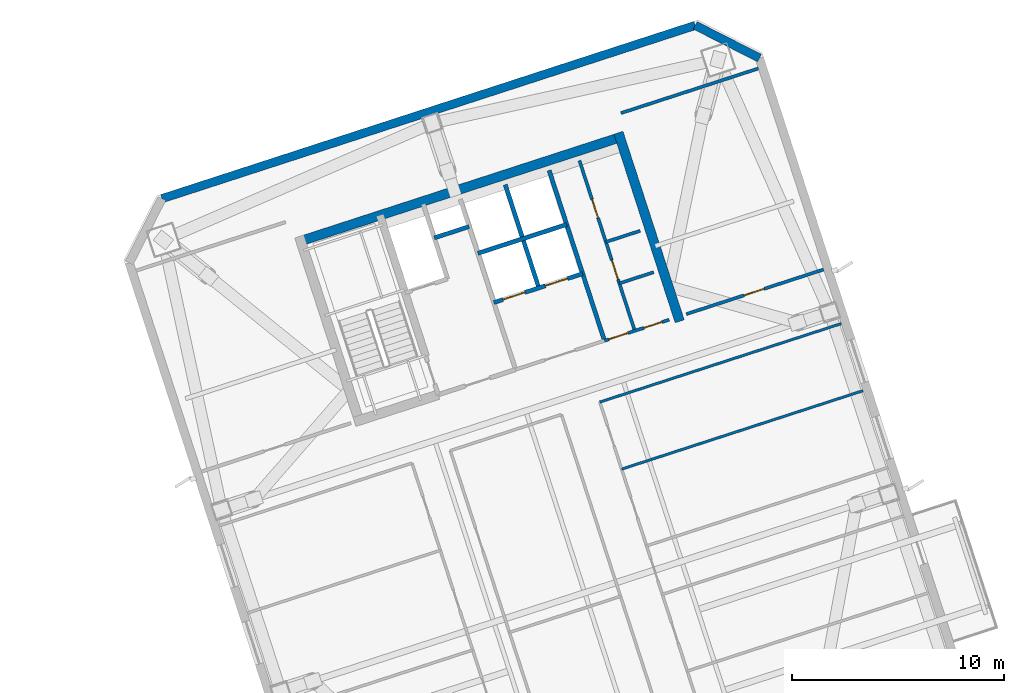
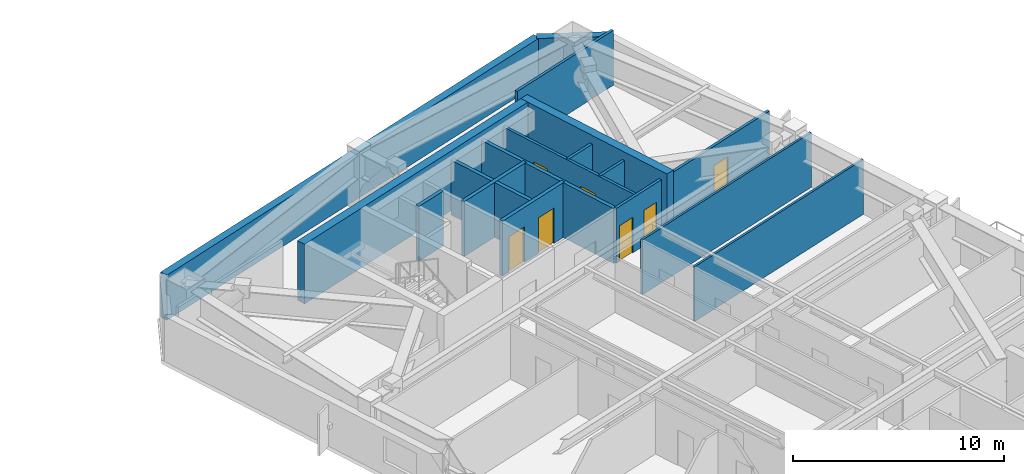
# One storey, part 11 of 18: 17 walls, 7 doors, 7 openings.
"""IFC4 building model written with IfcOpenShell, lengths in metres."""

import ifcopenshell
import ifcopenshell.guid

model = None  # the IFC model being written
_history = None  # IfcOwnerHistory: only IFC2X3 demands one
_inside = {}  # id of a spatial element -> (the spatial element, [elements in it])
_under = {}  # id of a project, library or spatial element -> (it, [spatial elements below it])
_declared = {}  # id of a project -> (the project, [libraries it declares])
_typed = {}  # id of a type object -> (the type object, [elements of that type])
_made_of = {}  # id of a material, layer set ... -> (it, [elements and type objects made of it])


def new_model(schema):
    """Start an empty IFC model of exactly this schema.

    Asked for "IFC4X3", IfcOpenShell would pick the latest addendum, in which some entities
    have other attributes; the version numbers below select the first issue.
    IFC2X3 requires an IfcOwnerHistory on every rooted entity: one is made here for all.
    """
    global model, _history
    if schema == "IFC4X3":
        model = ifcopenshell.file(schema_version=(4, 3, 0, 0))
    else:
        model = ifcopenshell.file(schema=schema)
    _inside.clear()
    _under.clear()
    _declared.clear()
    _typed.clear()
    _made_of.clear()
    _history = None
    if model.schema == "IFC2X3":
        org = make("IfcOrganization", Name="unknown")
        user = make(
            "IfcPersonAndOrganization",
            ThePerson=make("IfcPerson", FamilyName="unknown"),
            TheOrganization=org,
        )
        app = make(
            "IfcApplication",
            ApplicationDeveloper=org,
            Version="unknown",
            ApplicationFullName="unknown",
            ApplicationIdentifier="unknown",
        )
        _history = make(
            "IfcOwnerHistory",
            OwningUser=user,
            OwningApplication=app,
            ChangeAction="ADDED",
            CreationDate=0,
        )
    return model


def make(cls, **values):
    """One entity of the class cls with the attributes given. An attribute that is None is left unset."""
    return model.create_entity(
        cls, **{name: value for name, value in values.items() if value is not None}
    )


def rooted(cls, **values):
    """An entity with a GlobalId (a new one), such as an element, a storey or a relation."""
    return make(cls, GlobalId=ifcopenshell.guid.new(), OwnerHistory=_history, **values)


def si_unit(unit_type, name, prefix=None):
    """IfcSIUnit, for example si_unit("LENGTHUNIT", "METRE", prefix="MILLI")."""
    return make("IfcSIUnit", UnitType=unit_type, Prefix=prefix, Name=name)


def assignment(units):
    """IfcUnitAssignment: the units of a project."""
    return None if units is None else make("IfcUnitAssignment", Units=units)


def point(xyz):
    """IfcCartesianPoint."""
    return None if xyz is None else make("IfcCartesianPoint", Coordinates=xyz)


def direction(xyz):
    """IfcDirection."""
    return None if xyz is None else make("IfcDirection", DirectionRatios=xyz)


def frame(location, z_axis=None, x_axis=None):
    """IfcAxis2Placement3D, a coordinate frame: its origin and axes. An axis left out is left unset."""
    return make(
        "IfcAxis2Placement3D",
        Location=point(location),
        Axis=direction(z_axis),
        RefDirection=direction(x_axis),
    )


def frame_2d(location, x_axis=None):
    """IfcAxis2Placement2D, a coordinate frame in the plane: its origin and x axis."""
    return make(
        "IfcAxis2Placement2D", Location=point(location), RefDirection=direction(x_axis)
    )


def origin():
    """The frame at (0, 0, 0) with its axes left unset."""
    return frame((0.0, 0.0, 0.0))


def place(relative_to, where):
    """IfcLocalPlacement: puts the frame where relative to a parent placement (None: the world)."""
    return make(
        "IfcLocalPlacement", PlacementRelTo=relative_to, RelativePlacement=where
    )


def context(
    kind, dimensions, precision=None, world=None, true_north=None, identifier=None
):
    """IfcGeometricRepresentationContext, for example the 3D "Model" context."""
    return make(
        "IfcGeometricRepresentationContext",
        ContextIdentifier=identifier,
        ContextType=kind,
        CoordinateSpaceDimension=dimensions,
        Precision=precision,
        WorldCoordinateSystem=world,
        TrueNorth=true_north,
    )


def subcontext(parent, identifier, kind, view, scale=None):
    """IfcGeometricRepresentationSubContext, for example "Body" below "Model"."""
    return make(
        "IfcGeometricRepresentationSubContext",
        ContextIdentifier=identifier,
        ContextType=kind,
        ParentContext=parent,
        TargetScale=scale,
        TargetView=view,
    )


def project(units=None, contexts=None):
    """IfcProject with its units and contexts."""
    return rooted(
        "IfcProject",
        Name="project",
        RepresentationContexts=contexts,
        UnitsInContext=assignment(units),
    )


def spatial(cls, under=None, at=None, **own):
    """A site, building, storey or space (cls), placed at a placement, below another one or the project."""
    s = rooted(cls, ObjectPlacement=at, **own)
    if under is not None:
        _under.setdefault(under.id(), (under, []))[1].append(s)
    return s


def profile(cls, at=None, kind="AREA", **sizes):
    """A parametric profile (cls). Its sizes go by their IFC names, for example OverallWidth=200.0."""
    return make(cls, ProfileType=kind, Position=at, **sizes)


def rectangle(**sizes):
    """IfcRectangleProfileDef."""
    return profile("IfcRectangleProfileDef", **sizes)


def extrude(swept, where, along, depth):
    """IfcExtrudedAreaSolid: the profile swept, set in the frame where, extruded along a direction by depth."""
    return make(
        "IfcExtrudedAreaSolid",
        SweptArea=swept,
        Position=where,
        ExtrudedDirection=direction(along),
        Depth=depth,
    )


def shape(context_of_items, identifier, shape_type, items):
    """IfcShapeRepresentation: the items that make up one representation, for example the "Body"."""
    return make(
        "IfcShapeRepresentation",
        ContextOfItems=context_of_items,
        RepresentationIdentifier=identifier,
        RepresentationType=shape_type,
        Items=items,
    )


def material(Name=None, Category=None):
    """IfcMaterial."""
    return make("IfcMaterial", Name=Name, Category=Category)


def layer(
    of_material, thickness, ventilated=None, Name=None, Category=None, Priority=None
):
    """IfcMaterialLayer: one layer of a wall or slab, of a material (None: an air gap)."""
    return make(
        "IfcMaterialLayer",
        Material=of_material,
        LayerThickness=thickness,
        IsVentilated=ventilated,
        Name=Name,
        Category=Category,
        Priority=Priority,
    )


def layer_set(layers, Name=None):
    """IfcMaterialLayerSet."""
    return make("IfcMaterialLayerSet", MaterialLayers=layers, LayerSetName=Name)


def made_of(thing, what):
    """Note that an element or type object is made of a material, layer set ...; save() writes the relation."""
    if what is not None:
        _made_of.setdefault(what.id(), (what, []))[1].append(thing)
    return thing


def type_object(cls, material=None, **own):
    """A type object (cls), such as IfcWallType, which elements share."""
    return made_of(rooted(cls, **own), material)


def element(
    cls,
    number,
    at=None,
    inside=None,
    cuts=None,
    type_object=None,
    material=None,
    context=None,
    identifier="Body",
    shape_type=None,
    held_by="IfcProductDefinitionShape",
    body=None,
    shapes=None,
    **own,
):
    """One element of the class cls, such as IfcWall. Its Tag is "e" and its number.

    at: its placement. inside: the storey or other place that contains it. cuts: it is an
    opening in that element (IfcRelVoidsElement). A single representation is given by context,
    identifier, shape_type and body (its items); several are given by shapes. held_by: the class
    of the entity that holds the representations. save() writes the other relations.
    """
    e = rooted(cls, Tag="e%d" % number, ObjectPlacement=at, **own)
    if body is not None:
        shapes = [shape(context, identifier, shape_type, body)]
    if shapes is not None:
        e.Representation = make(held_by, Representations=shapes)
    if inside is not None:
        _inside.setdefault(inside.id(), (inside, []))[1].append(e)
    if cuts is not None:
        rooted(
            "IfcRelVoidsElement", RelatingBuildingElement=cuts, RelatedOpeningElement=e
        )
    if type_object is not None:
        _typed.setdefault(type_object.id(), (type_object, []))[1].append(e)
    return made_of(e, material)


def fill(opening, filler):
    """IfcRelFillsElement: the door or window that sits in an opening."""
    return rooted(
        "IfcRelFillsElement",
        RelatingOpeningElement=opening,
        RelatedBuildingElement=filler,
    )


def aggregate(whole, parts):
    """IfcRelAggregates: a whole, such as a stair, and the parts it consists of."""
    return rooted("IfcRelAggregates", RelatingObject=whole, RelatedObjects=parts)


def save(model, path):
    """Write the relations noted so far, then the file.

    IfcRelAggregates (storeys below a building ...), IfcRelContainedInSpatialStructure (elements
    in a storey), IfcRelDefinesByType, IfcRelAssociatesMaterial and IfcRelDeclares: one each for
    every whole, place, type object, material and project.
    """
    for whole, parts in _under.values():
        aggregate(whole, parts)
    for where, things in _inside.values():
        rooted(
            "IfcRelContainedInSpatialStructure",
            RelatedElements=things,
            RelatingStructure=where,
        )
    for kind, things in _typed.values():
        rooted("IfcRelDefinesByType", RelatedObjects=things, RelatingType=kind)
    for what, things in _made_of.values():
        rooted("IfcRelAssociatesMaterial", RelatedObjects=things, RelatingMaterial=what)
    for by, libraries in _declared.values():
        rooted("IfcRelDeclares", RelatingContext=by, RelatedDefinitions=libraries)
    model.write(path)


model = new_model("IFC4")

# Units and contexts
model_context = context("Model", 3, precision=1e-05, world=origin(), true_north=direction((0.0, 1.0)))
body_context = subcontext(model_context, "Body", "Model", "MODEL_VIEW")
ifc_project = project(units=[si_unit("LENGTHUNIT", "METRE"), si_unit("AREAUNIT", "SQUARE_METRE"), si_unit("VOLUMEUNIT", "CUBIC_METRE"), si_unit("PLANEANGLEUNIT", "RADIAN"), si_unit("MASSUNIT", "GRAM", prefix="KILO")], contexts=[model_context])

# Site, building, storey
site_placement = place(None, origin())
site = spatial("IfcSite", under=ifc_project, at=site_placement, CompositionType="ELEMENT")
building_placement = place(site_placement, origin())
building = spatial("IfcBuilding", under=site, at=building_placement, Name="Qiaolan Cultural Towers", CompositionType="ELEMENT")
storey_placement = place(building_placement, frame((0.0, 0.0, 195.5)))
storey = spatial("IfcBuildingStorey", under=building, at=storey_placement, Name="L52", CompositionType="ELEMENT", Elevation=195.5)

# Walls
ifc_material_1 = material(Name="Concrete C50", Category="concrete")
ifc_layer_1 = layer(ifc_material_1, 0.449951171875)
ifc_layer_set_1 = layer_set([ifc_layer_1], Name="Concrete C50")
wall_type_1 = type_object("IfcWallType", Name="WL-CORE-450", PredefinedType="SHEAR", material=ifc_layer_set_1)
wall_1_placement = place(storey_placement, frame((76.414794921875, 50.489013671875, 0.0), z_axis=(0.0, 0.0, 1.0), x_axis=(0.951056810414, 0.309016089169, 0.0)))
element("IfcWall", 1, at=wall_1_placement, inside=storey, type_object=wall_type_1, Name="L52 T2-CN Outer Core Shear Wall", PredefinedType="SHEAR", context=body_context, shape_type="SweptSolid", body=[
    extrude(rectangle(XDim=16.25, YDim=0.449951171875, at=frame_2d((8.125, 0.0))), origin(), (0.0, 0.0, 1.0), 3.449951171875),
])
wall_2_placement = place(storey_placement, frame((94.468994140625, 46.781494140625, 0.0), z_axis=(0.0, 0.0, 1.0), x_axis=(-0.309004419953, 0.951060601881, 0.0)))
element("IfcWall", 2, at=wall_2_placement, inside=storey, type_object=wall_type_1, Name="L52 T2-CN East Core Shear Wall", PredefinedType="SHEAR", context=body_context, shape_type="SweptSolid", body=[
    extrude(rectangle(XDim=9.330078125, YDim=0.449951171875, at=frame_2d((4.6650390625, 0.0))), origin(), (0.0, 0.0, 1.0), 3.449951171875),
])
ifc_material_2 = material(Name="Precast Concrete C50 Honed Stone Pier", Category="masonry")
ifc_layer_2 = layer(ifc_material_2, 0.39990234375)
ifc_layer_set_2 = layer_set([ifc_layer_2], Name="Precast Concrete C50 Honed Stone Pier")
wall_type_2 = type_object("IfcWallType", Name="WL-EXT-PIER-400", PredefinedType="SOLIDWALL", material=ifc_layer_set_2)
wall_3_placement = place(storey_placement, frame((70.091552734375, 52.55615234375, 0.0), z_axis=(0.0, 0.0, 1.0), x_axis=(0.951057580055, 0.30901372044, 0.0)))
element("IfcWall", 3, at=wall_3_placement, inside=storey, type_object=wall_type_2, Name="L52 East Tower Precast Pier Facade Wall F3", PredefinedType="SOLIDWALL", context=body_context, shape_type="SweptSolid", body=[
    extrude(rectangle(XDim=26.39990234375, YDim=0.39990234375, at=frame_2d((13.199951171875, 0.0))), origin(), (0.0, 0.0, 1.0), 2.610107421875),
])
wall_4_placement = place(storey_placement, frame((95.199462890625, 60.714111328125, 0.0), z_axis=(0.0, 0.0, 1.0), x_axis=(0.891020832027, -0.453962417932, 0.0)))
element("IfcWall", 4, at=wall_4_placement, inside=storey, type_object=wall_type_2, Name="L52 East Tower Precast Pier Facade Wall F4", PredefinedType="SOLIDWALL", context=body_context, shape_type="SweptSolid", body=[
    extrude(rectangle(XDim=3.39404296875, YDim=0.39990234375, at=frame_2d((1.697021484375, 0.0))), origin(), (0.0, 0.0, 1.0), 2.610107421875),
])
ifc_material_3 = material(Name="Concrete C35 Fire Wall", Category="concrete")
ifc_layer_3 = layer(ifc_material_3, 0.199951171875)
ifc_layer_set_3 = layer_set([ifc_layer_3], Name="Concrete C35 Fire Wall")
wall_type_3 = type_object("IfcWallType", Name="WL-FIRE-200", PredefinedType="PARTITIONING", material=ifc_layer_set_3)
wall_5_placement = place(storey_placement, frame((82.910400390625, 50.706787109375, 0.0), z_axis=(0.0, 0.0, 1.0), x_axis=(0.951041328149, 0.309063734775, 0.0)))
element("IfcWall", 5, at=wall_5_placement, inside=storey, type_object=wall_type_3, Name="L52 T2-CN Pressurization Shaft Front Wall", PredefinedType="PARTITIONING", context=body_context, shape_type="SweptSolid", body=[
    extrude(rectangle(XDim=1.72998046875, YDim=0.199951171875, at=frame_2d((0.864990234375, 0.0))), origin(), (0.0, 0.0, 1.0), 3.175048828125),
])
wall_6_placement = place(storey_placement, frame((90.92822265625, 45.86767578125, 0.0), z_axis=(0.0, 0.0, 1.0), x_axis=(-0.309042196757, 0.951048327176, 0.0)))
element("IfcWall", 6, at=wall_6_placement, inside=storey, type_object=wall_type_3, Name="L52 T2-CN Lift Core East Wall", PredefinedType="PARTITIONING", context=body_context, shape_type="SweptSolid", body=[
    extrude(rectangle(XDim=8.429931640625, YDim=0.199951171875, at=frame_2d((4.21484375, 0.0))), origin(), (0.0, 0.0, 1.0), 3.175048828125),
])

# Wall, openings, doors
wall_7_placement = place(storey_placement, frame((85.717529296875, 47.66552734375, 0.0), z_axis=(0.0, 0.0, 1.0), x_axis=(0.951058531764, 0.30901079133, 0.0)))
wall_7 = element("IfcWall", 7, at=wall_7_placement, inside=storey, type_object=wall_type_3, Name="L52 T2-CN Passenger Lift Shaft Front Wall", PredefinedType="PARTITIONING", context=body_context, shape_type="SweptSolid", body=[
    extrude(rectangle(XDim=4.39990234375, YDim=0.199951171875, at=frame_2d((2.199951171875, 0.0))), origin(), (0.0, 0.0, 1.0), 3.175048828125),
])
opening_1_placement = place(wall_7_placement, frame((0.449951171875, 0.0, 0.0)))
opening_1 = element("IfcOpeningElement", 8, at=opening_1_placement, cuts=wall_7, Name="Opening LD-01", PredefinedType="OPENING", context=body_context, shape_type="SweptSolid", body=[
    extrude(rectangle(XDim=1.10009765625, YDim=2.050048828125, at=frame_2d((0.550048828125, 1.02490234375))), frame((0.0, 0.10986328125, 0.0), z_axis=(0.0, -1.0, 0.0), x_axis=(1.0, 0.0, 0.0)), (0.0, 0.0, 1.0), 0.219970703125),
])
opening_2_placement = place(wall_7_placement, frame((2.550048828125, 0.0, 0.0)))
opening_2 = element("IfcOpeningElement", 9, at=opening_2_placement, cuts=wall_7, Name="Opening LD-01", PredefinedType="OPENING", context=body_context, shape_type="SweptSolid", body=[
    extrude(rectangle(XDim=1.10009765625, YDim=2.050048828125, at=frame_2d((0.550048828125, 1.02490234375))), frame((0.0, 0.10986328125, 0.0), z_axis=(0.0, -1.0, 0.0), x_axis=(1.0, 0.0, 0.0)), (0.0, 0.0, 1.0), 0.219970703125),
])
ifc_material_4 = material(Name="Brushed Stainless Steel S30408 Centre-Parting Lift Landing Door", Category="steel")
door_type_1 = type_object("IfcDoorType", Name="DR-LIFT-1100", OperationType="NOTDEFINED", PredefinedType="DOOR", material=ifc_material_4)
door_1_placement = place(opening_1_placement, origin())
door_1 = element("IfcDoor", 10, at=door_1_placement, inside=storey, type_object=door_type_1, Name="L52 Passenger Lift 1 Landing Door", OperationType="DOUBLE_DOOR_SLIDING", OverallHeight=2.050048828125, OverallWidth=1.10009765625, PredefinedType="DOOR", context=body_context, shape_type="SweptSolid", body=[
    extrude(rectangle(XDim=1.10009765625, YDim=2.050048828125, at=frame_2d((0.550048828125, 1.02490234375))), frame((0.0, 0.02490234375, 0.0), z_axis=(0.0, -1.0, 0.0), x_axis=(1.0, 0.0, 0.0)), (0.0, 0.0, 1.0), 0.050048828125),
])
fill(opening_1, door_1)
door_2_placement = place(opening_2_placement, origin())
door_2 = element("IfcDoor", 11, at=door_2_placement, inside=storey, type_object=door_type_1, Name="L52 Passenger Lift 2 Landing Door", OperationType="DOUBLE_DOOR_SLIDING", OverallHeight=2.050048828125, OverallWidth=1.10009765625, PredefinedType="DOOR", context=body_context, shape_type="SweptSolid", body=[
    extrude(rectangle(XDim=1.10009765625, YDim=2.050048828125, at=frame_2d((0.550048828125, 1.02490234375))), frame((0.0, 0.02490234375, 0.0), z_axis=(0.0, -1.0, 0.0), x_axis=(1.0, 0.0, 0.0)), (0.0, 0.0, 1.0), 0.050048828125),
])
fill(opening_2, door_2)

# Walls
wall_8_placement = place(storey_placement, frame((87.83837890625, 48.3544921875, 0.0), z_axis=(0.0, 0.0, 1.0), x_axis=(-0.3090093719, 0.951058992953, 0.0)))
element("IfcWall", 12, at=wall_8_placement, inside=storey, type_object=wall_type_3, Name="L52 T2-CN Lift Shaft Divider Wall", PredefinedType="PARTITIONING", context=body_context, shape_type="SweptSolid", body=[
    extrude(rectangle(XDim=5.110107421875, YDim=0.199951171875, at=frame_2d((2.55517578125, 0.0))), origin(), (0.0, 0.0, 1.0), 3.175048828125),
])
wall_9_placement = place(storey_placement, frame((84.966552734375, 49.9765625, 0.0), z_axis=(0.0, 0.0, 1.0), x_axis=(0.951063829732, 0.308994485023, 0.0)))
element("IfcWall", 13, at=wall_9_placement, inside=storey, type_object=wall_type_3, Name="L52 T2-CN Passenger Lift Shaft Back Wall", PredefinedType="PARTITIONING", context=body_context, shape_type="SweptSolid", body=[
    extrude(rectangle(XDim=4.400146484375, YDim=0.199951171875, at=frame_2d((2.2001953125, 0.0))), origin(), (0.0, 0.0, 1.0), 3.175048828125),
])
ifc_material_5 = material(Name="Gypsum Stud Acoustic Partition", Category="gypsum")
ifc_layer_4 = layer(ifc_material_5, 0.1201171875)
ifc_layer_set_4 = layer_set([ifc_layer_4], Name="Gypsum Stud Acoustic Partition")
wall_type_4 = type_object("IfcWallType", Name="WL-PART-120", PredefinedType="PARTITIONING", material=ifc_layer_set_4)
for number, where, z_axis, x_axis, name in (
    (14, (90.710205078125, 42.97900390625, 0.0), (0.0, 0.0, 1.0), (0.95105853842, 0.309010770845, 0.0), "L52 T2 Interior Wall"),
    (15, (91.736083984375, 39.8212890625, 0.0), (0.0, 0.0, 1.0), (0.951052534024, 0.309029250277, 0.0), "L52 T2 Interior Wall"),
):
    element("IfcWall", number, at=place(storey_placement, frame(where, z_axis=z_axis, x_axis=x_axis)), inside=storey, type_object=wall_type_4, Name=name, PredefinedType="PARTITIONING", context=body_context, shape_type="SweptSolid", body=[
        extrude(rectangle(XDim=11.949951171875, YDim=0.1201171875, at=frame_2d((5.97509765625, 0.0))), origin(), (0.0, 0.0, 1.0), 3.175048828125),
    ])

# Wall, openings, doors
ifc_material_6 = material(Name="Autoclaved Aerated Concrete Block B06", Category="concrete")
ifc_layer_5 = layer(ifc_material_6, 0.14990234375)
ifc_layer_set_5 = layer_set([ifc_layer_5], Name="Autoclaved Aerated Concrete Block B06")
wall_type_5 = type_object("IfcWallType", Name="WL-PART-150", PredefinedType="PARTITIONING", material=ifc_layer_set_5)
wall_10_placement = place(storey_placement, frame((90.92822265625, 45.86767578125, 0.0), z_axis=(0.0, 0.0, 1.0), x_axis=(0.951059297078, 0.309008435874, 0.0)))
wall_10 = element("IfcWall", 16, at=wall_10_placement, inside=storey, type_object=wall_type_5, Name="L52 T2-CN Sanitary Core Front Wall", PredefinedType="PARTITIONING", context=body_context, shape_type="SweptSolid", body=[
    extrude(rectangle(XDim=3.19970703125, YDim=0.14990234375, at=frame_2d((1.599853515625, 0.0))), origin(), (0.0, 0.0, 1.0), 3.175048828125),
])
opening_3_placement = place(wall_10_placement, frame((0.219970703125, 0.0, 0.0)))
opening_3 = element("IfcOpeningElement", 17, at=opening_3_placement, cuts=wall_10, Name="Opening ID-05", PredefinedType="OPENING", context=body_context, shape_type="SweptSolid", body=[
    extrude(rectangle(XDim=0.949951171875, YDim=2.050048828125, at=frame_2d((0.47509765625, 1.02490234375))), frame((0.0, 0.0849609375, 0.0), z_axis=(0.0, -1.0, 0.0), x_axis=(1.0, 0.0, 0.0)), (0.0, 0.0, 1.0), 0.169921875),
])
opening_4_placement = place(wall_10_placement, frame((1.949951171875, 0.0, 0.0)))
opening_4 = element("IfcOpeningElement", 18, at=opening_4_placement, cuts=wall_10, Name="Opening ID-06", PredefinedType="OPENING", context=body_context, shape_type="SweptSolid", body=[
    extrude(rectangle(XDim=0.89990234375, YDim=2.050048828125, at=frame_2d((0.449951171875, 1.02490234375))), frame((0.0, 0.0849609375, 0.0), z_axis=(0.0, -1.0, 0.0), x_axis=(1.0, 0.0, 0.0)), (0.0, 0.0, 1.0), 0.169921875),
])
ifc_material_7 = material(Name="Fire-Rated Laminate Core Service Door", Category="timber")
door_type_2 = type_object("IfcDoorType", Name="DR-INT-900", OperationType="NOTDEFINED", PredefinedType="DOOR", material=ifc_material_7)
door_3_placement = place(opening_4_placement, origin())
door_3 = element("IfcDoor", 19, at=door_3_placement, inside=storey, type_object=door_type_2, Name="L52 Core Tea Pantry Door", OperationType="SINGLE_SWING_RIGHT", OverallHeight=2.050048828125, OverallWidth=0.89990234375, PredefinedType="DOOR", context=body_context, shape_type="SweptSolid", body=[
    extrude(rectangle(XDim=0.89990234375, YDim=2.050048828125, at=frame_2d((0.449951171875, 1.02490234375))), frame((0.0, 0.02490234375, 0.0), z_axis=(0.0, -1.0, 0.0), x_axis=(1.0, 0.0, 0.0)), (0.0, 0.0, 1.0), 0.050048828125),
])
fill(opening_4, door_3)
ifc_material_8 = material(Name="Fire-Rated Laminate Accessible Core Door", Category="timber")
door_type_3 = type_object("IfcDoorType", Name="DR-INT-950", OperationType="NOTDEFINED", PredefinedType="DOOR", material=ifc_material_8)
door_4_placement = place(opening_3_placement, origin())
door_4 = element("IfcDoor", 20, at=door_4_placement, inside=storey, type_object=door_type_3, Name="L52 Sanitary Passage Door", OperationType="SINGLE_SWING_LEFT", OverallHeight=2.050048828125, OverallWidth=0.949951171875, PredefinedType="DOOR", context=body_context, shape_type="SweptSolid", body=[
    extrude(rectangle(XDim=0.949951171875, YDim=2.050048828125, at=frame_2d((0.47509765625, 1.02490234375))), frame((0.0, 0.02490234375, 0.0), z_axis=(0.0, -1.0, 0.0), x_axis=(1.0, 0.0, 0.0)), (0.0, 0.0, 1.0), 0.050048828125),
])
fill(opening_3, door_4)

wall_11_placement = place(storey_placement, frame((92.354736328125, 46.3310546875, 0.0), z_axis=(0.0, 0.0, 1.0), x_axis=(-0.309007490203, 0.951059604335, 0.0)))
wall_11 = element("IfcWall", 21, at=wall_11_placement, inside=storey, type_object=wall_type_5, Name="L52 T2-CN Sanitary Corridor Wall", PredefinedType="PARTITIONING", context=body_context, shape_type="SweptSolid", body=[
    extrude(rectangle(XDim=8.43017578125, YDim=0.14990234375, at=frame_2d((4.215087890625, 0.0))), origin(), (0.0, 0.0, 1.0), 3.175048828125),
])
opening_5_placement = place(wall_11_placement, frame((2.550048828125, 0.0, 0.0)))
opening_5 = element("IfcOpeningElement", 22, at=opening_5_placement, cuts=wall_11, Name="Opening ID-05", PredefinedType="OPENING", context=body_context, shape_type="SweptSolid", body=[
    extrude(rectangle(XDim=0.949951171875, YDim=2.050048828125, at=frame_2d((0.47509765625, 1.02490234375))), frame((0.0, 0.0849609375, 0.0), z_axis=(0.0, -1.0, 0.0), x_axis=(1.0, 0.0, 0.0)), (0.0, 0.0, 1.0), 0.169921875),
])
opening_6_placement = place(wall_11_placement, frame((5.60009765625, 0.0, 0.0)))
opening_6 = element("IfcOpeningElement", 23, at=opening_6_placement, cuts=wall_11, Name="Opening ID-06", PredefinedType="OPENING", context=body_context, shape_type="SweptSolid", body=[
    extrude(rectangle(XDim=0.89990234375, YDim=2.050048828125, at=frame_2d((0.449951171875, 1.02490234375))), frame((0.0, 0.0849609375, 0.0), z_axis=(0.0, -1.0, 0.0), x_axis=(1.0, 0.0, 0.0)), (0.0, 0.0, 1.0), 0.169921875),
])
door_5_placement = place(opening_6_placement, origin())
door_5 = element("IfcDoor", 24, at=door_5_placement, inside=storey, type_object=door_type_2, Name="L52 Staff Restroom Door", OperationType="SINGLE_SWING_RIGHT", OverallHeight=2.050048828125, OverallWidth=0.89990234375, PredefinedType="DOOR", context=body_context, shape_type="SweptSolid", body=[
    extrude(rectangle(XDim=0.89990234375, YDim=2.050048828125, at=frame_2d((0.449951171875, 1.02490234375))), frame((0.0, 0.02490234375, 0.0), z_axis=(0.0, -1.0, 0.0), x_axis=(1.0, 0.0, 0.0)), (0.0, 0.0, 1.0), 0.050048828125),
])
fill(opening_6, door_5)
door_6_placement = place(opening_5_placement, origin())
door_6 = element("IfcDoor", 25, at=door_6_placement, inside=storey, type_object=door_type_3, Name="L52 Accessible Washroom Door", OperationType="SINGLE_SWING_LEFT", OverallHeight=2.050048828125, OverallWidth=0.949951171875, PredefinedType="DOOR", context=body_context, shape_type="SweptSolid", body=[
    extrude(rectangle(XDim=0.949951171875, YDim=2.050048828125, at=frame_2d((0.47509765625, 1.02490234375))), frame((0.0, 0.02490234375, 0.0), z_axis=(0.0, -1.0, 0.0), x_axis=(1.0, 0.0, 0.0)), (0.0, 0.0, 1.0), 0.050048828125),
])
fill(opening_5, door_6)

# Walls
wall_12_placement = place(storey_placement, frame((90.9951171875, 50.515869140625, 0.0), z_axis=(0.0, 0.0, 1.0), x_axis=(0.951040401051, 0.309066587596, 0.0)))
element("IfcWall", 26, at=wall_12_placement, inside=storey, type_object=wall_type_5, Name="L52 T2-CN Restroom Split Wall", PredefinedType="PARTITIONING", context=body_context, shape_type="SweptSolid", body=[
    extrude(rectangle(XDim=1.699951171875, YDim=0.14990234375, at=frame_2d((0.85009765625, 0.0))), origin(), (0.0, 0.0, 1.0), 3.175048828125),
])
wall_13_placement = place(storey_placement, frame((91.62841796875, 48.566162109375, 0.0), z_axis=(0.0, 0.0, 1.0), x_axis=(0.951054116971, 0.309024378638, 0.0)))
element("IfcWall", 27, at=wall_13_placement, inside=storey, type_object=wall_type_5, Name="L52 T2-CN Core Pantry Wall", PredefinedType="PARTITIONING", context=body_context, shape_type="SweptSolid", body=[
    extrude(rectangle(XDim=1.7001953125, YDim=0.14990234375, at=frame_2d((0.85009765625, 0.0))), origin(), (0.0, 0.0, 1.0), 3.175048828125),
])
wall_14_placement = place(storey_placement, frame((91.705078125, 56.582275390625, 0.0), z_axis=(0.0, 0.0, 1.0), x_axis=(0.951057811516, 0.309013008068, 0.0)))
element("IfcWall", 28, at=wall_14_placement, inside=storey, type_object=wall_type_5, Name="L52 T2 Flank Wall FLK-NE", PredefinedType="PARTITIONING", context=body_context, shape_type="SweptSolid", body=[
    extrude(rectangle(XDim=6.800048828125, YDim=0.14990234375, at=frame_2d((3.39990234375, 0.0))), origin(), (0.0, 0.0, 1.0), 3.175048828125),
])

# Wall, opening, door
wall_15_placement = place(storey_placement, frame((94.77978515625, 47.119140625, 0.0), z_axis=(0.0, 0.0, 1.0), x_axis=(0.951057811516, 0.309013008068, 0.0)))
wall_15 = element("IfcWall", 29, at=wall_15_placement, inside=storey, type_object=wall_type_5, Name="L52 T2 Flank Front FLK-NE", PredefinedType="PARTITIONING", context=body_context, shape_type="SweptSolid", body=[
    extrude(rectangle(XDim=6.800048828125, YDim=0.14990234375, at=frame_2d((3.39990234375, 0.0))), origin(), (0.0, 0.0, 1.0), 3.175048828125),
])
opening_7_placement = place(wall_15_placement, frame((2.85595703125, 0.0, 0.0)))
opening_7 = element("IfcOpeningElement", 30, at=opening_7_placement, cuts=wall_15, Name="Opening ID-04", PredefinedType="OPENING", context=body_context, shape_type="SweptSolid", body=[
    extrude(rectangle(XDim=1.0, YDim=2.050048828125, at=frame_2d((0.5, 1.02490234375))), frame((0.0, 0.0849609375, 0.0), z_axis=(0.0, -1.0, 0.0), x_axis=(1.0, 0.0, 0.0)), (0.0, 0.0, 1.0), 0.169921875),
])
ifc_material_9 = material(Name="Oak Veneer Acoustic Office Door", Category="timber")
door_type_4 = type_object("IfcDoorType", Name="DR-INT-1000", OperationType="NOTDEFINED", PredefinedType="DOOR", material=ifc_material_9)
door_7_placement = place(opening_7_placement, origin())
door_7 = element("IfcDoor", 31, at=door_7_placement, inside=storey, type_object=door_type_4, Name="L52 T2 Corner Studio Door", OperationType="SINGLE_SWING_LEFT", OverallHeight=2.050048828125, OverallWidth=1.0, PredefinedType="DOOR", context=body_context, shape_type="SweptSolid", body=[
    extrude(rectangle(XDim=1.0, YDim=2.050048828125, at=frame_2d((0.5, 1.02490234375))), frame((0.0, 0.02490234375, 0.0), z_axis=(0.0, -1.0, 0.0), x_axis=(1.0, 0.0, 0.0)), (0.0, 0.0, 1.0), 0.050048828125),
])
fill(opening_7, door_7)

save(model, "model.ifc")
